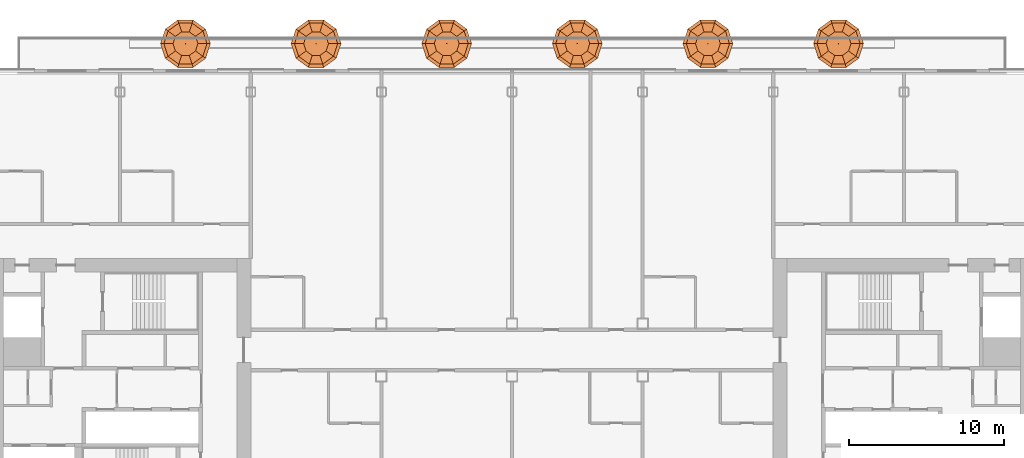
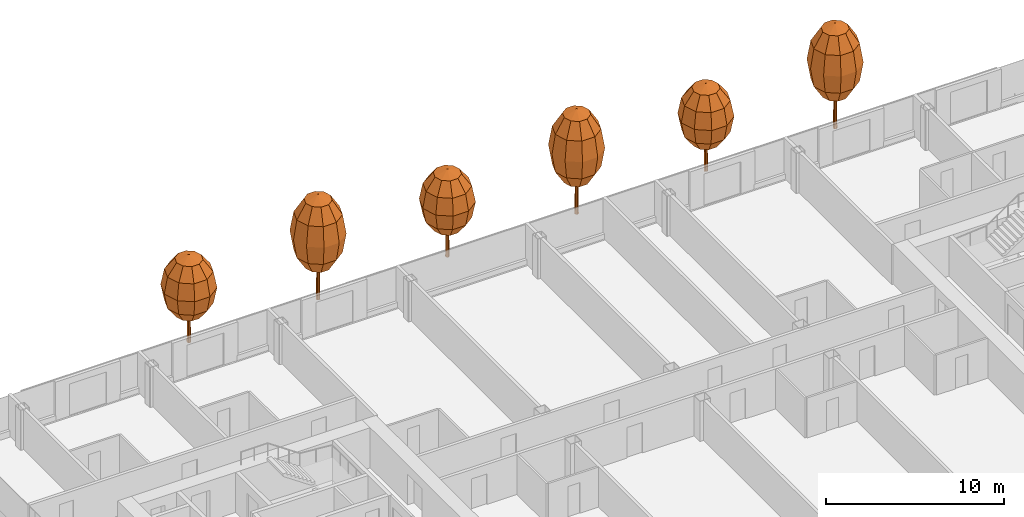
# One storey, part 28 of 28: 6 geographic elements.
"""IFC4 building model written with IfcOpenShell, lengths in metres."""

from ifc_helpers import new_model, si_unit, direction, frame, origin, place, context, subcontext, project, spatial, triangles, material, type_object, element, save


model = new_model("IFC4")

# Units and contexts
model_context = context("Model", 3, precision=1e-05, world=origin(), true_north=direction((0.0, 1.0)))
body_context = subcontext(model_context, "Body", "Model", "MODEL_VIEW")
ifc_project = project(units=[si_unit("LENGTHUNIT", "METRE"), si_unit("AREAUNIT", "SQUARE_METRE"), si_unit("VOLUMEUNIT", "CUBIC_METRE"), si_unit("PLANEANGLEUNIT", "RADIAN"), si_unit("MASSUNIT", "GRAM", prefix="KILO")], contexts=[model_context])

# Site, building, storey
site_placement = place(None, origin())
site = spatial("IfcSite", under=ifc_project, at=site_placement, CompositionType="ELEMENT")
building_placement = place(site_placement, origin())
building = spatial("IfcBuilding", under=site, at=building_placement, Name="Hakoniwa Tower and Hamabe Station Hall", CompositionType="ELEMENT")
storey_placement = place(building_placement, frame((0.0, 0.0, 218.60009765625)))
storey = spatial("IfcBuildingStorey", under=building, at=storey_placement, Name="L62", CompositionType="ELEMENT", Elevation=218.60009765625)

# Geographic elements
ifc_material_1 = material(Name="Tree foliage")
geographic_element_type_1 = type_object("IfcGeographicElementType", Name="Japanese maple 7.2 m", PredefinedType="USERDEFINED", material=ifc_material_1)
geographic_element_1_placement = place(storey_placement, frame((-12.60009765625, 22.199951171875, 0.89990234375)))
element("IfcGeographicElement", 1, at=geographic_element_1_placement, inside=storey, type_object=geographic_element_type_1, Name="Japanese maple 7-2 m", ObjectType="TREE", PredefinedType="USERDEFINED", context=body_context, shape_type="Tessellation", body=[
    triangles([(0.125, 0.0, 0.0), (0.08837890625, 0.08837890625, 0.0), (0.0, 0.125, 0.0), (-0.08837890625, 0.08837890625, 0.0), (-0.125, 0.0, 0.0), (-0.08837890625, -0.08837890625, 0.0), (0.0, -0.125, 0.0), (0.08837890625, -0.08837890625, 0.0), (0.074951171875, 0.0, 4.348876953125), (0.052978515625, 0.052978515625, 4.348876953125), (0.0, 0.074951171875, 4.348876953125), (-0.052978515625, 0.052978515625, 4.348876953125), (-0.074951171875, 0.0, 4.348876953125), (-0.052978515625, -0.052978515625, 4.348876953125), (0.0, -0.074951171875, 4.348876953125), (0.052978515625, -0.052978515625, 4.348876953125), (0.0, 0.0, 0.0), (0.0, 0.0, 4.348876953125)], [[1, 2, 10], [1, 10, 9], [17, 2, 1], [18, 9, 10], [2, 3, 11], [2, 11, 10], [17, 3, 2], [18, 10, 11], [3, 4, 12], [3, 12, 11], [17, 4, 3], [18, 11, 12], [4, 5, 13], [4, 13, 12], [17, 5, 4], [18, 12, 13], [5, 6, 14], [5, 14, 13], [17, 6, 5], [18, 13, 14], [6, 7, 15], [6, 15, 14], [17, 7, 6], [18, 14, 15], [7, 8, 16], [7, 16, 15], [17, 8, 7], [18, 15, 16], [8, 1, 9], [8, 9, 16], [17, 1, 8], [18, 16, 9]], closed=True),
    triangles([(0.0, 0.0, 2.015869140625), (0.800048828125, 0.0, 2.36328125), (0.647216796875, 0.47021484375, 2.36328125), (0.247314453125, 0.7607421875, 2.36328125), (-0.247314453125, 0.7607421875, 2.36328125), (-0.647216796875, 0.47021484375, 2.36328125), (-0.800048828125, 0.0, 2.36328125), (-0.647216796875, -0.47021484375, 2.36328125), (-0.247314453125, -0.7607421875, 2.36328125), (0.247314453125, -0.7607421875, 2.36328125), (0.647216796875, -0.47021484375, 2.36328125), (1.385498046875, 0.0, 3.31201171875), (1.12109375, 0.814453125, 3.31201171875), (0.42822265625, 1.31787109375, 3.31201171875), (-0.42822265625, 1.31787109375, 3.31201171875), (-1.12109375, 0.814453125, 3.31201171875), (-1.385498046875, 0.0, 3.31201171875), (-1.12109375, -0.814453125, 3.31201171875), (-0.42822265625, -1.31787109375, 3.31201171875), (0.42822265625, -1.31787109375, 3.31201171875), (1.12109375, -0.814453125, 3.31201171875), (1.60009765625, 0.0, 4.60791015625), (1.29443359375, 0.9404296875, 4.60791015625), (0.494384765625, 1.521728515625, 4.60791015625), (-0.494384765625, 1.521728515625, 4.60791015625), (-1.29443359375, 0.9404296875, 4.60791015625), (-1.60009765625, 0.0, 4.60791015625), (-1.29443359375, -0.9404296875, 4.60791015625), (-0.494384765625, -1.521728515625, 4.60791015625), (0.494384765625, -1.521728515625, 4.60791015625), (1.29443359375, -0.9404296875, 4.60791015625), (1.385498046875, 0.0, 5.904052734375), (1.12109375, 0.814453125, 5.904052734375), (0.42822265625, 1.31787109375, 5.904052734375), (-0.42822265625, 1.31787109375, 5.904052734375), (-1.12109375, 0.814453125, 5.904052734375), (-1.385498046875, 0.0, 5.904052734375), (-1.12109375, -0.814453125, 5.904052734375), (-0.42822265625, -1.31787109375, 5.904052734375), (0.42822265625, -1.31787109375, 5.904052734375), (1.12109375, -0.814453125, 5.904052734375), (0.800048828125, 0.0, 6.852783203125), (0.647216796875, 0.47021484375, 6.852783203125), (0.247314453125, 0.7607421875, 6.852783203125), (-0.247314453125, 0.7607421875, 6.852783203125), (-0.647216796875, 0.47021484375, 6.852783203125), (-0.800048828125, 0.0, 6.852783203125), (-0.647216796875, -0.47021484375, 6.852783203125), (-0.247314453125, -0.7607421875, 6.852783203125), (0.247314453125, -0.7607421875, 6.852783203125), (0.647216796875, -0.47021484375, 6.852783203125), (0.0, 0.0, 7.199951171875)], [[1, 3, 2], [1, 4, 3], [1, 5, 4], [1, 6, 5], [1, 7, 6], [1, 8, 7], [1, 9, 8], [1, 10, 9], [1, 11, 10], [1, 2, 11], [2, 3, 13], [2, 13, 12], [3, 4, 14], [3, 14, 13], [4, 5, 15], [4, 15, 14], [5, 6, 16], [5, 16, 15], [6, 7, 17], [6, 17, 16], [7, 8, 18], [7, 18, 17], [8, 9, 19], [8, 19, 18], [9, 10, 20], [9, 20, 19], [10, 11, 21], [10, 21, 20], [11, 2, 12], [11, 12, 21], [12, 13, 23], [12, 23, 22], [13, 14, 24], [13, 24, 23], [14, 15, 25], [14, 25, 24], [15, 16, 26], [15, 26, 25], [16, 17, 27], [16, 27, 26], [17, 18, 28], [17, 28, 27], [18, 19, 29], [18, 29, 28], [19, 20, 30], [19, 30, 29], [20, 21, 31], [20, 31, 30], [21, 12, 22], [21, 22, 31], [22, 23, 33], [22, 33, 32], [23, 24, 34], [23, 34, 33], [24, 25, 35], [24, 35, 34], [25, 26, 36], [25, 36, 35], [26, 27, 37], [26, 37, 36], [27, 28, 38], [27, 38, 37], [28, 29, 39], [28, 39, 38], [29, 30, 40], [29, 40, 39], [30, 31, 41], [30, 41, 40], [31, 22, 32], [31, 32, 41], [32, 33, 43], [32, 43, 42], [33, 34, 44], [33, 44, 43], [34, 35, 45], [34, 45, 44], [35, 36, 46], [35, 46, 45], [36, 37, 47], [36, 47, 46], [37, 38, 48], [37, 48, 47], [38, 39, 49], [38, 49, 48], [39, 40, 50], [39, 50, 49], [40, 41, 51], [40, 51, 50], [41, 32, 42], [41, 42, 51], [52, 42, 43], [52, 43, 44], [52, 44, 45], [52, 45, 46], [52, 46, 47], [52, 47, 48], [52, 48, 49], [52, 49, 50], [52, 50, 51], [52, 51, 42]], closed=True),
])
geographic_element_2_placement = place(storey_placement, frame((4.199951171875, 22.199951171875, 0.89990234375)))
element("IfcGeographicElement", 2, at=geographic_element_2_placement, inside=storey, type_object=geographic_element_type_1, Name="Japanese maple 7-2 m", ObjectType="TREE", PredefinedType="USERDEFINED", context=body_context, shape_type="Tessellation", body=[
    triangles([(0.125, 0.0, 0.0), (0.08837890625, 0.08837890625, 0.0), (0.0, 0.125, 0.0), (-0.08837890625, 0.08837890625, 0.0), (-0.125, 0.0, 0.0), (-0.08837890625, -0.08837890625, 0.0), (0.0, -0.125, 0.0), (0.08837890625, -0.08837890625, 0.0), (0.074951171875, 0.0, 4.348876953125), (0.052978515625, 0.052978515625, 4.348876953125), (0.0, 0.074951171875, 4.348876953125), (-0.052978515625, 0.052978515625, 4.348876953125), (-0.074951171875, 0.0, 4.348876953125), (-0.052978515625, -0.052978515625, 4.348876953125), (0.0, -0.074951171875, 4.348876953125), (0.052978515625, -0.052978515625, 4.348876953125), (0.0, 0.0, 0.0), (0.0, 0.0, 4.348876953125)], [[1, 2, 10], [1, 10, 9], [17, 2, 1], [18, 9, 10], [2, 3, 11], [2, 11, 10], [17, 3, 2], [18, 10, 11], [3, 4, 12], [3, 12, 11], [17, 4, 3], [18, 11, 12], [4, 5, 13], [4, 13, 12], [17, 5, 4], [18, 12, 13], [5, 6, 14], [5, 14, 13], [17, 6, 5], [18, 13, 14], [6, 7, 15], [6, 15, 14], [17, 7, 6], [18, 14, 15], [7, 8, 16], [7, 16, 15], [17, 8, 7], [18, 15, 16], [8, 1, 9], [8, 9, 16], [17, 1, 8], [18, 16, 9]], closed=True),
    triangles([(0.0, 0.0, 2.015869140625), (0.800048828125, 0.0, 2.36328125), (0.647216796875, 0.47021484375, 2.36328125), (0.247314453125, 0.7607421875, 2.36328125), (-0.247314453125, 0.7607421875, 2.36328125), (-0.647216796875, 0.47021484375, 2.36328125), (-0.800048828125, 0.0, 2.36328125), (-0.647216796875, -0.47021484375, 2.36328125), (-0.247314453125, -0.7607421875, 2.36328125), (0.247314453125, -0.7607421875, 2.36328125), (0.647216796875, -0.47021484375, 2.36328125), (1.385498046875, 0.0, 3.31201171875), (1.12109375, 0.814453125, 3.31201171875), (0.42822265625, 1.31787109375, 3.31201171875), (-0.42822265625, 1.31787109375, 3.31201171875), (-1.12109375, 0.814453125, 3.31201171875), (-1.385498046875, 0.0, 3.31201171875), (-1.12109375, -0.814453125, 3.31201171875), (-0.42822265625, -1.31787109375, 3.31201171875), (0.42822265625, -1.31787109375, 3.31201171875), (1.12109375, -0.814453125, 3.31201171875), (1.60009765625, 0.0, 4.60791015625), (1.29443359375, 0.9404296875, 4.60791015625), (0.494384765625, 1.521728515625, 4.60791015625), (-0.494384765625, 1.521728515625, 4.60791015625), (-1.29443359375, 0.9404296875, 4.60791015625), (-1.60009765625, 0.0, 4.60791015625), (-1.29443359375, -0.9404296875, 4.60791015625), (-0.494384765625, -1.521728515625, 4.60791015625), (0.494384765625, -1.521728515625, 4.60791015625), (1.29443359375, -0.9404296875, 4.60791015625), (1.385498046875, 0.0, 5.904052734375), (1.12109375, 0.814453125, 5.904052734375), (0.42822265625, 1.31787109375, 5.904052734375), (-0.42822265625, 1.31787109375, 5.904052734375), (-1.12109375, 0.814453125, 5.904052734375), (-1.385498046875, 0.0, 5.904052734375), (-1.12109375, -0.814453125, 5.904052734375), (-0.42822265625, -1.31787109375, 5.904052734375), (0.42822265625, -1.31787109375, 5.904052734375), (1.12109375, -0.814453125, 5.904052734375), (0.800048828125, 0.0, 6.852783203125), (0.647216796875, 0.47021484375, 6.852783203125), (0.247314453125, 0.7607421875, 6.852783203125), (-0.247314453125, 0.7607421875, 6.852783203125), (-0.647216796875, 0.47021484375, 6.852783203125), (-0.800048828125, 0.0, 6.852783203125), (-0.647216796875, -0.47021484375, 6.852783203125), (-0.247314453125, -0.7607421875, 6.852783203125), (0.247314453125, -0.7607421875, 6.852783203125), (0.647216796875, -0.47021484375, 6.852783203125), (0.0, 0.0, 7.199951171875)], [[1, 3, 2], [1, 4, 3], [1, 5, 4], [1, 6, 5], [1, 7, 6], [1, 8, 7], [1, 9, 8], [1, 10, 9], [1, 11, 10], [1, 2, 11], [2, 3, 13], [2, 13, 12], [3, 4, 14], [3, 14, 13], [4, 5, 15], [4, 15, 14], [5, 6, 16], [5, 16, 15], [6, 7, 17], [6, 17, 16], [7, 8, 18], [7, 18, 17], [8, 9, 19], [8, 19, 18], [9, 10, 20], [9, 20, 19], [10, 11, 21], [10, 21, 20], [11, 2, 12], [11, 12, 21], [12, 13, 23], [12, 23, 22], [13, 14, 24], [13, 24, 23], [14, 15, 25], [14, 25, 24], [15, 16, 26], [15, 26, 25], [16, 17, 27], [16, 27, 26], [17, 18, 28], [17, 28, 27], [18, 19, 29], [18, 29, 28], [19, 20, 30], [19, 30, 29], [20, 21, 31], [20, 31, 30], [21, 12, 22], [21, 22, 31], [22, 23, 33], [22, 33, 32], [23, 24, 34], [23, 34, 33], [24, 25, 35], [24, 35, 34], [25, 26, 36], [25, 36, 35], [26, 27, 37], [26, 37, 36], [27, 28, 38], [27, 38, 37], [28, 29, 39], [28, 39, 38], [29, 30, 40], [29, 40, 39], [30, 31, 41], [30, 41, 40], [31, 22, 32], [31, 32, 41], [32, 33, 43], [32, 43, 42], [33, 34, 44], [33, 44, 43], [34, 35, 45], [34, 45, 44], [35, 36, 46], [35, 46, 45], [36, 37, 47], [36, 47, 46], [37, 38, 48], [37, 48, 47], [38, 39, 49], [38, 49, 48], [39, 40, 50], [39, 50, 49], [40, 41, 51], [40, 51, 50], [41, 32, 42], [41, 42, 51], [52, 42, 43], [52, 43, 44], [52, 44, 45], [52, 45, 46], [52, 46, 47], [52, 47, 48], [52, 48, 49], [52, 49, 50], [52, 50, 51], [52, 51, 42]], closed=True),
])
geographic_element_3_placement = place(storey_placement, frame((21.0, 22.199951171875, 0.89990234375)))
element("IfcGeographicElement", 3, at=geographic_element_3_placement, inside=storey, type_object=geographic_element_type_1, Name="Japanese maple 7-2 m", ObjectType="TREE", PredefinedType="USERDEFINED", context=body_context, shape_type="Tessellation", body=[
    triangles([(0.125, 0.0, 0.0), (0.08837890625, 0.08837890625, 0.0), (0.0, 0.125, 0.0), (-0.08837890625, 0.08837890625, 0.0), (-0.125, 0.0, 0.0), (-0.08837890625, -0.08837890625, 0.0), (0.0, -0.125, 0.0), (0.08837890625, -0.08837890625, 0.0), (0.074951171875, 0.0, 4.348876953125), (0.052978515625, 0.052978515625, 4.348876953125), (0.0, 0.074951171875, 4.348876953125), (-0.052978515625, 0.052978515625, 4.348876953125), (-0.074951171875, 0.0, 4.348876953125), (-0.052978515625, -0.052978515625, 4.348876953125), (0.0, -0.074951171875, 4.348876953125), (0.052978515625, -0.052978515625, 4.348876953125), (0.0, 0.0, 0.0), (0.0, 0.0, 4.348876953125)], [[1, 2, 10], [1, 10, 9], [17, 2, 1], [18, 9, 10], [2, 3, 11], [2, 11, 10], [17, 3, 2], [18, 10, 11], [3, 4, 12], [3, 12, 11], [17, 4, 3], [18, 11, 12], [4, 5, 13], [4, 13, 12], [17, 5, 4], [18, 12, 13], [5, 6, 14], [5, 14, 13], [17, 6, 5], [18, 13, 14], [6, 7, 15], [6, 15, 14], [17, 7, 6], [18, 14, 15], [7, 8, 16], [7, 16, 15], [17, 8, 7], [18, 15, 16], [8, 1, 9], [8, 9, 16], [17, 1, 8], [18, 16, 9]], closed=True),
    triangles([(0.0, 0.0, 2.015869140625), (0.800048828125, 0.0, 2.36328125), (0.647216796875, 0.47021484375, 2.36328125), (0.247314453125, 0.7607421875, 2.36328125), (-0.247314453125, 0.7607421875, 2.36328125), (-0.647216796875, 0.47021484375, 2.36328125), (-0.800048828125, 0.0, 2.36328125), (-0.647216796875, -0.47021484375, 2.36328125), (-0.247314453125, -0.7607421875, 2.36328125), (0.247314453125, -0.7607421875, 2.36328125), (0.647216796875, -0.47021484375, 2.36328125), (1.385498046875, 0.0, 3.31201171875), (1.12109375, 0.814453125, 3.31201171875), (0.42822265625, 1.31787109375, 3.31201171875), (-0.42822265625, 1.31787109375, 3.31201171875), (-1.12109375, 0.814453125, 3.31201171875), (-1.385498046875, 0.0, 3.31201171875), (-1.12109375, -0.814453125, 3.31201171875), (-0.42822265625, -1.31787109375, 3.31201171875), (0.42822265625, -1.31787109375, 3.31201171875), (1.12109375, -0.814453125, 3.31201171875), (1.60009765625, 0.0, 4.60791015625), (1.29443359375, 0.9404296875, 4.60791015625), (0.494384765625, 1.521728515625, 4.60791015625), (-0.494384765625, 1.521728515625, 4.60791015625), (-1.29443359375, 0.9404296875, 4.60791015625), (-1.60009765625, 0.0, 4.60791015625), (-1.29443359375, -0.9404296875, 4.60791015625), (-0.494384765625, -1.521728515625, 4.60791015625), (0.494384765625, -1.521728515625, 4.60791015625), (1.29443359375, -0.9404296875, 4.60791015625), (1.385498046875, 0.0, 5.904052734375), (1.12109375, 0.814453125, 5.904052734375), (0.42822265625, 1.31787109375, 5.904052734375), (-0.42822265625, 1.31787109375, 5.904052734375), (-1.12109375, 0.814453125, 5.904052734375), (-1.385498046875, 0.0, 5.904052734375), (-1.12109375, -0.814453125, 5.904052734375), (-0.42822265625, -1.31787109375, 5.904052734375), (0.42822265625, -1.31787109375, 5.904052734375), (1.12109375, -0.814453125, 5.904052734375), (0.800048828125, 0.0, 6.852783203125), (0.647216796875, 0.47021484375, 6.852783203125), (0.247314453125, 0.7607421875, 6.852783203125), (-0.247314453125, 0.7607421875, 6.852783203125), (-0.647216796875, 0.47021484375, 6.852783203125), (-0.800048828125, 0.0, 6.852783203125), (-0.647216796875, -0.47021484375, 6.852783203125), (-0.247314453125, -0.7607421875, 6.852783203125), (0.247314453125, -0.7607421875, 6.852783203125), (0.647216796875, -0.47021484375, 6.852783203125), (0.0, 0.0, 7.199951171875)], [[1, 3, 2], [1, 4, 3], [1, 5, 4], [1, 6, 5], [1, 7, 6], [1, 8, 7], [1, 9, 8], [1, 10, 9], [1, 11, 10], [1, 2, 11], [2, 3, 13], [2, 13, 12], [3, 4, 14], [3, 14, 13], [4, 5, 15], [4, 15, 14], [5, 6, 16], [5, 16, 15], [6, 7, 17], [6, 17, 16], [7, 8, 18], [7, 18, 17], [8, 9, 19], [8, 19, 18], [9, 10, 20], [9, 20, 19], [10, 11, 21], [10, 21, 20], [11, 2, 12], [11, 12, 21], [12, 13, 23], [12, 23, 22], [13, 14, 24], [13, 24, 23], [14, 15, 25], [14, 25, 24], [15, 16, 26], [15, 26, 25], [16, 17, 27], [16, 27, 26], [17, 18, 28], [17, 28, 27], [18, 19, 29], [18, 29, 28], [19, 20, 30], [19, 30, 29], [20, 21, 31], [20, 31, 30], [21, 12, 22], [21, 22, 31], [22, 23, 33], [22, 33, 32], [23, 24, 34], [23, 34, 33], [24, 25, 35], [24, 35, 34], [25, 26, 36], [25, 36, 35], [26, 27, 37], [26, 37, 36], [27, 28, 38], [27, 38, 37], [28, 29, 39], [28, 39, 38], [29, 30, 40], [29, 40, 39], [30, 31, 41], [30, 41, 40], [31, 22, 32], [31, 32, 41], [32, 33, 43], [32, 43, 42], [33, 34, 44], [33, 44, 43], [34, 35, 45], [34, 45, 44], [35, 36, 46], [35, 46, 45], [36, 37, 47], [36, 47, 46], [37, 38, 48], [37, 48, 47], [38, 39, 49], [38, 49, 48], [39, 40, 50], [39, 50, 49], [40, 41, 51], [40, 51, 50], [41, 32, 42], [41, 42, 51], [52, 42, 43], [52, 43, 44], [52, 44, 45], [52, 45, 46], [52, 46, 47], [52, 47, 48], [52, 48, 49], [52, 49, 50], [52, 50, 51], [52, 51, 42]], closed=True),
])
ifc_material_2 = material(Name="Tree foliage")
geographic_element_type_2 = type_object("IfcGeographicElementType", Name="Osmanthus 6.0 m", PredefinedType="USERDEFINED", material=ifc_material_2)
geographic_element_4_placement = place(storey_placement, frame((-21.0, 22.199951171875, 0.89990234375)))
element("IfcGeographicElement", 4, at=geographic_element_4_placement, inside=storey, type_object=geographic_element_type_2, Name="Osmanthus 6-0 m", ObjectType="TREE", PredefinedType="USERDEFINED", context=body_context, shape_type="Tessellation", body=[
    triangles([(0.125, 0.0, 0.0), (0.08837890625, 0.08837890625, 0.0), (0.0, 0.125, 0.0), (-0.08837890625, 0.08837890625, 0.0), (-0.125, 0.0, 0.0), (-0.08837890625, -0.08837890625, 0.0), (0.0, -0.125, 0.0), (0.08837890625, -0.08837890625, 0.0), (0.074951171875, 0.0, 3.6240234375), (0.052978515625, 0.052978515625, 3.6240234375), (0.0, 0.074951171875, 3.6240234375), (-0.052978515625, 0.052978515625, 3.6240234375), (-0.074951171875, 0.0, 3.6240234375), (-0.052978515625, -0.052978515625, 3.6240234375), (0.0, -0.074951171875, 3.6240234375), (0.052978515625, -0.052978515625, 3.6240234375), (0.0, 0.0, 0.0), (0.0, 0.0, 3.6240234375)], [[1, 2, 10], [1, 10, 9], [17, 2, 1], [18, 9, 10], [2, 3, 11], [2, 11, 10], [17, 3, 2], [18, 10, 11], [3, 4, 12], [3, 12, 11], [17, 4, 3], [18, 11, 12], [4, 5, 13], [4, 13, 12], [17, 5, 4], [18, 12, 13], [5, 6, 14], [5, 14, 13], [17, 6, 5], [18, 13, 14], [6, 7, 15], [6, 15, 14], [17, 7, 6], [18, 14, 15], [7, 8, 16], [7, 16, 15], [17, 8, 7], [18, 15, 16], [8, 1, 9], [8, 9, 16], [17, 1, 8], [18, 16, 9]], closed=True),
    triangles([(0.0, 0.0, 1.679931640625), (0.800048828125, 0.0, 1.969482421875), (0.647216796875, 0.47021484375, 1.969482421875), (0.247314453125, 0.7607421875, 1.969482421875), (-0.247314453125, 0.7607421875, 1.969482421875), (-0.647216796875, 0.47021484375, 1.969482421875), (-0.800048828125, 0.0, 1.969482421875), (-0.647216796875, -0.47021484375, 1.969482421875), (-0.247314453125, -0.7607421875, 1.969482421875), (0.247314453125, -0.7607421875, 1.969482421875), (0.647216796875, -0.47021484375, 1.969482421875), (1.385498046875, 0.0, 2.760009765625), (1.12109375, 0.814453125, 2.760009765625), (0.42822265625, 1.31787109375, 2.760009765625), (-0.42822265625, 1.31787109375, 2.760009765625), (-1.12109375, 0.814453125, 2.760009765625), (-1.385498046875, 0.0, 2.760009765625), (-1.12109375, -0.814453125, 2.760009765625), (-0.42822265625, -1.31787109375, 2.760009765625), (0.42822265625, -1.31787109375, 2.760009765625), (1.12109375, -0.814453125, 2.760009765625), (1.60009765625, 0.0, 3.840087890625), (1.29443359375, 0.9404296875, 3.840087890625), (0.494384765625, 1.521728515625, 3.840087890625), (-0.494384765625, 1.521728515625, 3.840087890625), (-1.29443359375, 0.9404296875, 3.840087890625), (-1.60009765625, 0.0, 3.840087890625), (-1.29443359375, -0.9404296875, 3.840087890625), (-0.494384765625, -1.521728515625, 3.840087890625), (0.494384765625, -1.521728515625, 3.840087890625), (1.29443359375, -0.9404296875, 3.840087890625), (1.385498046875, 0.0, 4.919921875), (1.12109375, 0.814453125, 4.919921875), (0.42822265625, 1.31787109375, 4.919921875), (-0.42822265625, 1.31787109375, 4.919921875), (-1.12109375, 0.814453125, 4.919921875), (-1.385498046875, 0.0, 4.919921875), (-1.12109375, -0.814453125, 4.919921875), (-0.42822265625, -1.31787109375, 4.919921875), (0.42822265625, -1.31787109375, 4.919921875), (1.12109375, -0.814453125, 4.919921875), (0.800048828125, 0.0, 5.710693359375), (0.647216796875, 0.47021484375, 5.710693359375), (0.247314453125, 0.7607421875, 5.710693359375), (-0.247314453125, 0.7607421875, 5.710693359375), (-0.647216796875, 0.47021484375, 5.710693359375), (-0.800048828125, 0.0, 5.710693359375), (-0.647216796875, -0.47021484375, 5.710693359375), (-0.247314453125, -0.7607421875, 5.710693359375), (0.247314453125, -0.7607421875, 5.710693359375), (0.647216796875, -0.47021484375, 5.710693359375), (0.0, 0.0, 6.0)], [[1, 3, 2], [1, 4, 3], [1, 5, 4], [1, 6, 5], [1, 7, 6], [1, 8, 7], [1, 9, 8], [1, 10, 9], [1, 11, 10], [1, 2, 11], [2, 3, 13], [2, 13, 12], [3, 4, 14], [3, 14, 13], [4, 5, 15], [4, 15, 14], [5, 6, 16], [5, 16, 15], [6, 7, 17], [6, 17, 16], [7, 8, 18], [7, 18, 17], [8, 9, 19], [8, 19, 18], [9, 10, 20], [9, 20, 19], [10, 11, 21], [10, 21, 20], [11, 2, 12], [11, 12, 21], [12, 13, 23], [12, 23, 22], [13, 14, 24], [13, 24, 23], [14, 15, 25], [14, 25, 24], [15, 16, 26], [15, 26, 25], [16, 17, 27], [16, 27, 26], [17, 18, 28], [17, 28, 27], [18, 19, 29], [18, 29, 28], [19, 20, 30], [19, 30, 29], [20, 21, 31], [20, 31, 30], [21, 12, 22], [21, 22, 31], [22, 23, 33], [22, 33, 32], [23, 24, 34], [23, 34, 33], [24, 25, 35], [24, 35, 34], [25, 26, 36], [25, 36, 35], [26, 27, 37], [26, 37, 36], [27, 28, 38], [27, 38, 37], [28, 29, 39], [28, 39, 38], [29, 30, 40], [29, 40, 39], [30, 31, 41], [30, 41, 40], [31, 22, 32], [31, 32, 41], [32, 33, 43], [32, 43, 42], [33, 34, 44], [33, 44, 43], [34, 35, 45], [34, 45, 44], [35, 36, 46], [35, 46, 45], [36, 37, 47], [36, 47, 46], [37, 38, 48], [37, 48, 47], [38, 39, 49], [38, 49, 48], [39, 40, 50], [39, 50, 49], [40, 41, 51], [40, 51, 50], [41, 32, 42], [41, 42, 51], [52, 42, 43], [52, 43, 44], [52, 44, 45], [52, 45, 46], [52, 46, 47], [52, 47, 48], [52, 48, 49], [52, 49, 50], [52, 50, 51], [52, 51, 42]], closed=True),
])
geographic_element_5_placement = place(storey_placement, frame((-4.199951171875, 22.199951171875, 0.89990234375)))
element("IfcGeographicElement", 5, at=geographic_element_5_placement, inside=storey, type_object=geographic_element_type_2, Name="Osmanthus 6-0 m", ObjectType="TREE", PredefinedType="USERDEFINED", context=body_context, shape_type="Tessellation", body=[
    triangles([(0.125, 0.0, 0.0), (0.08837890625, 0.08837890625, 0.0), (0.0, 0.125, 0.0), (-0.08837890625, 0.08837890625, 0.0), (-0.125, 0.0, 0.0), (-0.08837890625, -0.08837890625, 0.0), (0.0, -0.125, 0.0), (0.08837890625, -0.08837890625, 0.0), (0.074951171875, 0.0, 3.6240234375), (0.052978515625, 0.052978515625, 3.6240234375), (0.0, 0.074951171875, 3.6240234375), (-0.052978515625, 0.052978515625, 3.6240234375), (-0.074951171875, 0.0, 3.6240234375), (-0.052978515625, -0.052978515625, 3.6240234375), (0.0, -0.074951171875, 3.6240234375), (0.052978515625, -0.052978515625, 3.6240234375), (0.0, 0.0, 0.0), (0.0, 0.0, 3.6240234375)], [[1, 2, 10], [1, 10, 9], [17, 2, 1], [18, 9, 10], [2, 3, 11], [2, 11, 10], [17, 3, 2], [18, 10, 11], [3, 4, 12], [3, 12, 11], [17, 4, 3], [18, 11, 12], [4, 5, 13], [4, 13, 12], [17, 5, 4], [18, 12, 13], [5, 6, 14], [5, 14, 13], [17, 6, 5], [18, 13, 14], [6, 7, 15], [6, 15, 14], [17, 7, 6], [18, 14, 15], [7, 8, 16], [7, 16, 15], [17, 8, 7], [18, 15, 16], [8, 1, 9], [8, 9, 16], [17, 1, 8], [18, 16, 9]], closed=True),
    triangles([(0.0, 0.0, 1.679931640625), (0.800048828125, 0.0, 1.969482421875), (0.647216796875, 0.47021484375, 1.969482421875), (0.247314453125, 0.7607421875, 1.969482421875), (-0.247314453125, 0.7607421875, 1.969482421875), (-0.647216796875, 0.47021484375, 1.969482421875), (-0.800048828125, 0.0, 1.969482421875), (-0.647216796875, -0.47021484375, 1.969482421875), (-0.247314453125, -0.7607421875, 1.969482421875), (0.247314453125, -0.7607421875, 1.969482421875), (0.647216796875, -0.47021484375, 1.969482421875), (1.385498046875, 0.0, 2.760009765625), (1.12109375, 0.814453125, 2.760009765625), (0.42822265625, 1.31787109375, 2.760009765625), (-0.42822265625, 1.31787109375, 2.760009765625), (-1.12109375, 0.814453125, 2.760009765625), (-1.385498046875, 0.0, 2.760009765625), (-1.12109375, -0.814453125, 2.760009765625), (-0.42822265625, -1.31787109375, 2.760009765625), (0.42822265625, -1.31787109375, 2.760009765625), (1.12109375, -0.814453125, 2.760009765625), (1.60009765625, 0.0, 3.840087890625), (1.29443359375, 0.9404296875, 3.840087890625), (0.494384765625, 1.521728515625, 3.840087890625), (-0.494384765625, 1.521728515625, 3.840087890625), (-1.29443359375, 0.9404296875, 3.840087890625), (-1.60009765625, 0.0, 3.840087890625), (-1.29443359375, -0.9404296875, 3.840087890625), (-0.494384765625, -1.521728515625, 3.840087890625), (0.494384765625, -1.521728515625, 3.840087890625), (1.29443359375, -0.9404296875, 3.840087890625), (1.385498046875, 0.0, 4.919921875), (1.12109375, 0.814453125, 4.919921875), (0.42822265625, 1.31787109375, 4.919921875), (-0.42822265625, 1.31787109375, 4.919921875), (-1.12109375, 0.814453125, 4.919921875), (-1.385498046875, 0.0, 4.919921875), (-1.12109375, -0.814453125, 4.919921875), (-0.42822265625, -1.31787109375, 4.919921875), (0.42822265625, -1.31787109375, 4.919921875), (1.12109375, -0.814453125, 4.919921875), (0.800048828125, 0.0, 5.710693359375), (0.647216796875, 0.47021484375, 5.710693359375), (0.247314453125, 0.7607421875, 5.710693359375), (-0.247314453125, 0.7607421875, 5.710693359375), (-0.647216796875, 0.47021484375, 5.710693359375), (-0.800048828125, 0.0, 5.710693359375), (-0.647216796875, -0.47021484375, 5.710693359375), (-0.247314453125, -0.7607421875, 5.710693359375), (0.247314453125, -0.7607421875, 5.710693359375), (0.647216796875, -0.47021484375, 5.710693359375), (0.0, 0.0, 6.0)], [[1, 3, 2], [1, 4, 3], [1, 5, 4], [1, 6, 5], [1, 7, 6], [1, 8, 7], [1, 9, 8], [1, 10, 9], [1, 11, 10], [1, 2, 11], [2, 3, 13], [2, 13, 12], [3, 4, 14], [3, 14, 13], [4, 5, 15], [4, 15, 14], [5, 6, 16], [5, 16, 15], [6, 7, 17], [6, 17, 16], [7, 8, 18], [7, 18, 17], [8, 9, 19], [8, 19, 18], [9, 10, 20], [9, 20, 19], [10, 11, 21], [10, 21, 20], [11, 2, 12], [11, 12, 21], [12, 13, 23], [12, 23, 22], [13, 14, 24], [13, 24, 23], [14, 15, 25], [14, 25, 24], [15, 16, 26], [15, 26, 25], [16, 17, 27], [16, 27, 26], [17, 18, 28], [17, 28, 27], [18, 19, 29], [18, 29, 28], [19, 20, 30], [19, 30, 29], [20, 21, 31], [20, 31, 30], [21, 12, 22], [21, 22, 31], [22, 23, 33], [22, 33, 32], [23, 24, 34], [23, 34, 33], [24, 25, 35], [24, 35, 34], [25, 26, 36], [25, 36, 35], [26, 27, 37], [26, 37, 36], [27, 28, 38], [27, 38, 37], [28, 29, 39], [28, 39, 38], [29, 30, 40], [29, 40, 39], [30, 31, 41], [30, 41, 40], [31, 22, 32], [31, 32, 41], [32, 33, 43], [32, 43, 42], [33, 34, 44], [33, 44, 43], [34, 35, 45], [34, 45, 44], [35, 36, 46], [35, 46, 45], [36, 37, 47], [36, 47, 46], [37, 38, 48], [37, 48, 47], [38, 39, 49], [38, 49, 48], [39, 40, 50], [39, 50, 49], [40, 41, 51], [40, 51, 50], [41, 32, 42], [41, 42, 51], [52, 42, 43], [52, 43, 44], [52, 44, 45], [52, 45, 46], [52, 46, 47], [52, 47, 48], [52, 48, 49], [52, 49, 50], [52, 50, 51], [52, 51, 42]], closed=True),
])
geographic_element_6_placement = place(storey_placement, frame((12.60009765625, 22.199951171875, 0.89990234375)))
element("IfcGeographicElement", 6, at=geographic_element_6_placement, inside=storey, type_object=geographic_element_type_2, Name="Osmanthus 6-0 m", ObjectType="TREE", PredefinedType="USERDEFINED", context=body_context, shape_type="Tessellation", body=[
    triangles([(0.125, 0.0, 0.0), (0.08837890625, 0.08837890625, 0.0), (0.0, 0.125, 0.0), (-0.08837890625, 0.08837890625, 0.0), (-0.125, 0.0, 0.0), (-0.08837890625, -0.08837890625, 0.0), (0.0, -0.125, 0.0), (0.08837890625, -0.08837890625, 0.0), (0.074951171875, 0.0, 3.6240234375), (0.052978515625, 0.052978515625, 3.6240234375), (0.0, 0.074951171875, 3.6240234375), (-0.052978515625, 0.052978515625, 3.6240234375), (-0.074951171875, 0.0, 3.6240234375), (-0.052978515625, -0.052978515625, 3.6240234375), (0.0, -0.074951171875, 3.6240234375), (0.052978515625, -0.052978515625, 3.6240234375), (0.0, 0.0, 0.0), (0.0, 0.0, 3.6240234375)], [[1, 2, 10], [1, 10, 9], [17, 2, 1], [18, 9, 10], [2, 3, 11], [2, 11, 10], [17, 3, 2], [18, 10, 11], [3, 4, 12], [3, 12, 11], [17, 4, 3], [18, 11, 12], [4, 5, 13], [4, 13, 12], [17, 5, 4], [18, 12, 13], [5, 6, 14], [5, 14, 13], [17, 6, 5], [18, 13, 14], [6, 7, 15], [6, 15, 14], [17, 7, 6], [18, 14, 15], [7, 8, 16], [7, 16, 15], [17, 8, 7], [18, 15, 16], [8, 1, 9], [8, 9, 16], [17, 1, 8], [18, 16, 9]], closed=True),
    triangles([(0.0, 0.0, 1.679931640625), (0.800048828125, 0.0, 1.969482421875), (0.647216796875, 0.47021484375, 1.969482421875), (0.247314453125, 0.7607421875, 1.969482421875), (-0.247314453125, 0.7607421875, 1.969482421875), (-0.647216796875, 0.47021484375, 1.969482421875), (-0.800048828125, 0.0, 1.969482421875), (-0.647216796875, -0.47021484375, 1.969482421875), (-0.247314453125, -0.7607421875, 1.969482421875), (0.247314453125, -0.7607421875, 1.969482421875), (0.647216796875, -0.47021484375, 1.969482421875), (1.385498046875, 0.0, 2.760009765625), (1.12109375, 0.814453125, 2.760009765625), (0.42822265625, 1.31787109375, 2.760009765625), (-0.42822265625, 1.31787109375, 2.760009765625), (-1.12109375, 0.814453125, 2.760009765625), (-1.385498046875, 0.0, 2.760009765625), (-1.12109375, -0.814453125, 2.760009765625), (-0.42822265625, -1.31787109375, 2.760009765625), (0.42822265625, -1.31787109375, 2.760009765625), (1.12109375, -0.814453125, 2.760009765625), (1.60009765625, 0.0, 3.840087890625), (1.29443359375, 0.9404296875, 3.840087890625), (0.494384765625, 1.521728515625, 3.840087890625), (-0.494384765625, 1.521728515625, 3.840087890625), (-1.29443359375, 0.9404296875, 3.840087890625), (-1.60009765625, 0.0, 3.840087890625), (-1.29443359375, -0.9404296875, 3.840087890625), (-0.494384765625, -1.521728515625, 3.840087890625), (0.494384765625, -1.521728515625, 3.840087890625), (1.29443359375, -0.9404296875, 3.840087890625), (1.385498046875, 0.0, 4.919921875), (1.12109375, 0.814453125, 4.919921875), (0.42822265625, 1.31787109375, 4.919921875), (-0.42822265625, 1.31787109375, 4.919921875), (-1.12109375, 0.814453125, 4.919921875), (-1.385498046875, 0.0, 4.919921875), (-1.12109375, -0.814453125, 4.919921875), (-0.42822265625, -1.31787109375, 4.919921875), (0.42822265625, -1.31787109375, 4.919921875), (1.12109375, -0.814453125, 4.919921875), (0.800048828125, 0.0, 5.710693359375), (0.647216796875, 0.47021484375, 5.710693359375), (0.247314453125, 0.7607421875, 5.710693359375), (-0.247314453125, 0.7607421875, 5.710693359375), (-0.647216796875, 0.47021484375, 5.710693359375), (-0.800048828125, 0.0, 5.710693359375), (-0.647216796875, -0.47021484375, 5.710693359375), (-0.247314453125, -0.7607421875, 5.710693359375), (0.247314453125, -0.7607421875, 5.710693359375), (0.647216796875, -0.47021484375, 5.710693359375), (0.0, 0.0, 6.0)], [[1, 3, 2], [1, 4, 3], [1, 5, 4], [1, 6, 5], [1, 7, 6], [1, 8, 7], [1, 9, 8], [1, 10, 9], [1, 11, 10], [1, 2, 11], [2, 3, 13], [2, 13, 12], [3, 4, 14], [3, 14, 13], [4, 5, 15], [4, 15, 14], [5, 6, 16], [5, 16, 15], [6, 7, 17], [6, 17, 16], [7, 8, 18], [7, 18, 17], [8, 9, 19], [8, 19, 18], [9, 10, 20], [9, 20, 19], [10, 11, 21], [10, 21, 20], [11, 2, 12], [11, 12, 21], [12, 13, 23], [12, 23, 22], [13, 14, 24], [13, 24, 23], [14, 15, 25], [14, 25, 24], [15, 16, 26], [15, 26, 25], [16, 17, 27], [16, 27, 26], [17, 18, 28], [17, 28, 27], [18, 19, 29], [18, 29, 28], [19, 20, 30], [19, 30, 29], [20, 21, 31], [20, 31, 30], [21, 12, 22], [21, 22, 31], [22, 23, 33], [22, 33, 32], [23, 24, 34], [23, 34, 33], [24, 25, 35], [24, 35, 34], [25, 26, 36], [25, 36, 35], [26, 27, 37], [26, 37, 36], [27, 28, 38], [27, 38, 37], [28, 29, 39], [28, 39, 38], [29, 30, 40], [29, 40, 39], [30, 31, 41], [30, 41, 40], [31, 22, 32], [31, 32, 41], [32, 33, 43], [32, 43, 42], [33, 34, 44], [33, 44, 43], [34, 35, 45], [34, 45, 44], [35, 36, 46], [35, 46, 45], [36, 37, 47], [36, 47, 46], [37, 38, 48], [37, 48, 47], [38, 39, 49], [38, 49, 48], [39, 40, 50], [39, 50, 49], [40, 41, 51], [40, 51, 50], [41, 32, 42], [41, 42, 51], [52, 42, 43], [52, 43, 44], [52, 44, 45], [52, 45, 46], [52, 46, 47], [52, 47, 48], [52, 48, 49], [52, 49, 50], [52, 50, 51], [52, 51, 42]], closed=True),
])

save(model, "model.ifc")
